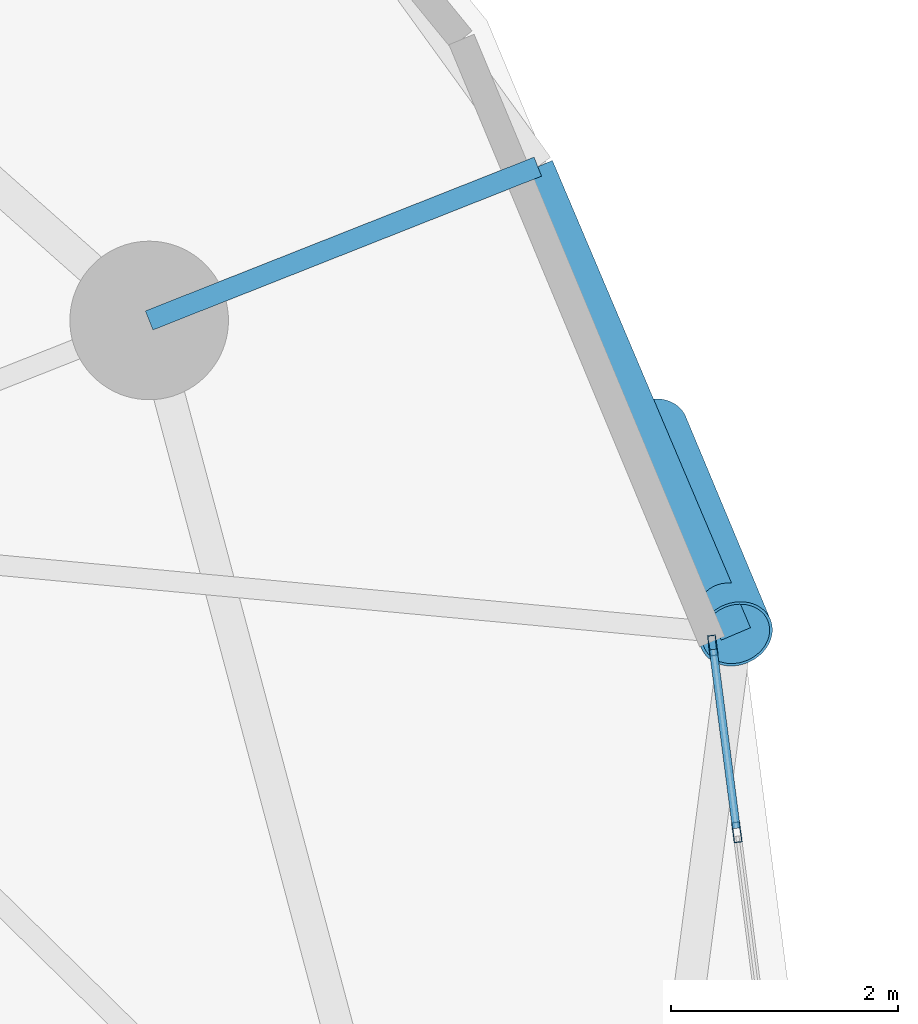
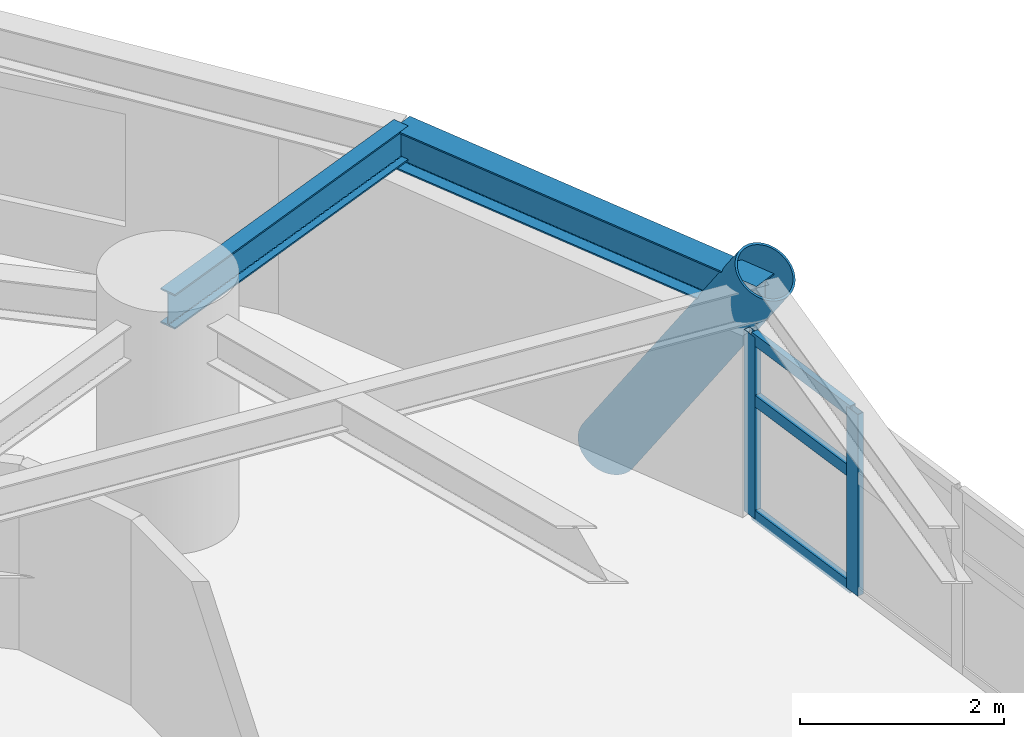
# One storey, part 4 of 16: 6 members, 2 beams, 1 element without a shape of its own.
"""IFC4 building model written with IfcOpenShell, lengths in metres."""

from ifc_helpers import new_model, si_unit, direction, frame, origin, origin_2d, place, context, subcontext, project, spatial, hollow_rectangle, hollow_circle, i_section, extrude, material, layer, layer_set, material_profile, profile_set, type_object, element, aggregate, save


model = new_model("IFC4")

# Units and contexts
model_context = context("Model", 3, precision=1e-05, world=origin(), true_north=direction((0.0, 1.0)))
body_context = subcontext(model_context, "Body", "Model", "MODEL_VIEW")
ifc_project = project(units=[si_unit("LENGTHUNIT", "METRE"), si_unit("AREAUNIT", "SQUARE_METRE"), si_unit("VOLUMEUNIT", "CUBIC_METRE"), si_unit("PLANEANGLEUNIT", "RADIAN"), si_unit("MASSUNIT", "GRAM", prefix="KILO")], contexts=[model_context])

# Site, building, storey
site_placement = place(None, origin())
site = spatial("IfcSite", under=ifc_project, at=site_placement, CompositionType="ELEMENT")
building_placement = place(site_placement, origin())
building = spatial("IfcBuilding", under=site, at=building_placement, Name="Cununo Teusaquillo Station Towers", CompositionType="ELEMENT")
storey_placement = place(building_placement, frame((0.0, 0.0, 73.06005859375)))
storey = spatial("IfcBuildingStorey", under=building, at=storey_placement, Name="L22", CompositionType="ELEMENT", Elevation=73.06005859375)

# Beams
ifc_material_1 = material(Name="Steel ASTM A572 Grade 50", Category="steel")
ifc_material_profile_1 = material_profile(ifc_material_1, i_section(OverallWidth=0.180908203125, OverallDepth=0.4169921875, WebThickness=0.010986328125, FlangeThickness=0.018310546875, FilletRadius=0.012939453125, at=origin_2d()), Name="W16X57")
ifc_profile_set_1 = profile_set([ifc_material_profile_1], Name="Steel ASTM A572 Grade 50")
beam_type_1 = type_object("IfcBeamType", Name="BM-RAD-G2", PredefinedType="BEAM", material=ifc_profile_set_1)
beam_1_placement = place(storey_placement, frame((26.347412109375, 33.228515625, 2.46142578125), z_axis=(0.929861788731, 0.367909029323, 0.0), x_axis=(-0.367909029323, 0.929861788731, 0.0)))
element("IfcBeam", 1, at=beam_1_placement, inside=storey, type_object=beam_type_1, Name="L22 Tower A Perimeter Overhang Girder 02B", PredefinedType="BEAM", context=body_context, shape_type="SweptSolid", body=[
    extrude(i_section(OverallWidth=0.180908203125, OverallDepth=0.4169921875, WebThickness=0.010986328125, FlangeThickness=0.018310546875, FilletRadius=0.012939453125, at=origin_2d()), origin(), (0.0, 0.0, 1.0), 3.690185546875),
])
ifc_material_2 = material(Name="Steel ASTM A572 Grade 50", Category="steel")
ifc_material_profile_2 = material_profile(ifc_material_2, i_section(OverallWidth=0.280029296875, OverallDepth=0.462890625, WebThickness=0.0107421875, FlangeThickness=0.017333984375, FilletRadius=0.013916015625, at=origin_2d()), Name="W18X76")
ifc_profile_set_2 = profile_set([ifc_material_profile_2], Name="Steel ASTM A572 Grade 50")
beam_type_2 = type_object("IfcBeamType", Name="BM-RING-Z2", PredefinedType="SPANDREL", material=ifc_profile_set_2)
beam_2_placement = place(storey_placement, frame((31.527587890625, 30.4609375, 2.4384765625), z_axis=(-0.390299356049, 0.920688010494, 0.0), x_axis=(-0.920688010494, -0.390299356049, 0.0)))
element("IfcBeam", 2, at=beam_2_placement, inside=storey, type_object=beam_type_2, Name="L22 Tower A Spandrel Ring Beam 02", PredefinedType="SPANDREL", context=body_context, shape_type="SweptSolid", body=[
    extrude(i_section(OverallWidth=0.280029296875, OverallDepth=0.462890625, WebThickness=0.0107421875, FlangeThickness=0.017333984375, FilletRadius=0.013916015625, at=origin_2d()), origin(), (0.0, 0.0, 1.0), 4.480712890625),
])

# Curtain wall, members
ifc_material_3 = material(Name="Ceramic-fritted dark low-E double glazing", Category="glass")
ifc_layer = layer(ifc_material_3, 0.179931640625)
ifc_layer_set = layer_set([ifc_layer], Name="Ceramic-fritted dark low-E double glazing")
curtain_wall_type = type_object("IfcCurtainWallType", Name="CW-SYS-04", PredefinedType="USERDEFINED", material=ifc_layer_set)
curtain_wall_placement = place(storey_placement, origin())
curtain_wall = element("IfcCurtainWall", 3, at=curtain_wall_placement, inside=storey, type_object=curtain_wall_type, Name="L22 Tower A Facade Curtain Wall C00", ObjectType="FRITTED GLAZING", PredefinedType="USERDEFINED")
ifc_material_4 = material(Name="Anodised dark bronze aluminium EN AW-6063-T6", Category="aluminium")
ifc_material_profile_3 = material_profile(ifc_material_4, hollow_rectangle(XDim=0.070068359375, YDim=0.179931640625, WallThickness=0.00390625, at=origin_2d()), Name="CW-MULL-70x180")
ifc_profile_set_3 = profile_set([ifc_material_profile_3], Name="Anodised dark bronze aluminium EN AW-6063-T6")
member_type_1 = type_object("IfcMemberType", Name="CWM-180", PredefinedType="MULLION", material=ifc_profile_set_3)
member_1_placement = place(storey_placement, frame((31.322998046875, 30.3583984375, 0.0), z_axis=(0.0, 0.0, 1.0), x_axis=(0.991730764367, 0.128335852387, 0.0)))
member_1 = element("IfcMember", 4, at=member_1_placement, type_object=member_type_1, Name="CW-04 mullion 1", PredefinedType="MULLION", context=body_context, shape_type="SweptSolid", body=[
    extrude(hollow_rectangle(XDim=0.070068359375, YDim=0.179931640625, WallThickness=0.00390625, at=origin_2d()), origin(), (0.0, 0.0, 1.0), 2.178955078125),
])
member_2_placement = place(storey_placement, frame((31.5361328125, 28.709716796875, 0.0), z_axis=(0.0, 0.0, 1.0), x_axis=(0.991730764367, 0.128335852387, 0.0)))
member_2 = element("IfcMember", 5, at=member_2_placement, type_object=member_type_1, Name="CW-04 mullion 2", PredefinedType="MULLION", context=body_context, shape_type="SweptSolid", body=[
    extrude(hollow_rectangle(XDim=0.070068359375, YDim=0.179931640625, WallThickness=0.00390625, at=origin_2d()), origin(), (0.0, 0.0, 1.0), 2.178955078125),
])
ifc_material_5 = material(Name="Anodised dark bronze aluminium EN AW-6063-T6", Category="aluminium")
ifc_material_profile_4 = material_profile(ifc_material_5, hollow_rectangle(XDim=0.070068359375, YDim=0.139892578125, WallThickness=0.00390625, at=origin_2d()), Name="CW-TRAN-70x140")
ifc_profile_set_4 = profile_set([ifc_material_profile_4], Name="Anodised dark bronze aluminium EN AW-6063-T6")
member_type_2 = type_object("IfcMemberType", Name="CWT-140", PredefinedType="USERDEFINED", material=ifc_profile_set_4)
member_3_placement = place(storey_placement, frame((31.327392578125, 30.323486328125, 0.034912109375), z_axis=(0.128336210724, -0.991730717996, 0.0), x_axis=(0.991730717996, 0.128336210724, 0.0)))
member_3 = element("IfcMember", 6, at=member_3_placement, type_object=member_type_2, Name="CW-04 transom 1.1", ObjectType="TRANSOM", PredefinedType="USERDEFINED", context=body_context, shape_type="SweptSolid", body=[
    extrude(hollow_rectangle(XDim=0.070068359375, YDim=0.139892578125, WallThickness=0.00390625, at=origin_2d()), origin(), (0.0, 0.0, 1.0), 1.59228515625),
])
member_4_placement = place(storey_placement, frame((31.327392578125, 30.323486328125, 1.416015625), z_axis=(0.128336210724, -0.991730717996, 0.0), x_axis=(0.991730717996, 0.128336210724, 0.0)))
member_4 = element("IfcMember", 7, at=member_4_placement, type_object=member_type_2, Name="CW-04 transom 1.2", ObjectType="TRANSOM", PredefinedType="USERDEFINED", context=body_context, shape_type="SweptSolid", body=[
    extrude(hollow_rectangle(XDim=0.070068359375, YDim=0.139892578125, WallThickness=0.00390625, at=origin_2d()), origin(), (0.0, 0.0, 1.0), 1.59228515625),
])
member_5_placement = place(storey_placement, frame((31.327392578125, 30.323486328125, 2.14404296875), z_axis=(0.128336210724, -0.991730717996, 0.0), x_axis=(0.991730717996, 0.128336210724, 0.0)))
member_5 = element("IfcMember", 8, at=member_5_placement, type_object=member_type_2, Name="CW-04 transom 1.3", ObjectType="TRANSOM", PredefinedType="USERDEFINED", context=body_context, shape_type="SweptSolid", body=[
    extrude(hollow_rectangle(XDim=0.070068359375, YDim=0.139892578125, WallThickness=0.00390625, at=origin_2d()), origin(), (0.0, 0.0, 1.0), 1.59228515625),
])
aggregate(curtain_wall, [member_1, member_2, member_3, member_4, member_5])

# Member
ifc_material_6 = material(Name="Steel EN 10025-2 S355J2", Category="steel")
ifc_material_profile_5 = material_profile(ifc_material_6, hollow_circle(Radius=0.330078125, WallThickness=0.02490234375, at=origin_2d()), Name="CHS 660x25")
ifc_profile_set_5 = profile_set([ifc_material_profile_5], Name="Steel EN 10025-2 S355J2")
member_type_3 = type_object("IfcMemberType", Name="MBR-DIAG-Z2", PredefinedType="BRACE", material=ifc_profile_set_5)
member_6_placement = place(storey_placement, frame((30.779541015625, 32.25341796875, -0.14013671875), z_axis=(0.213801258435, -0.512313589893, 0.831759464931), x_axis=(0.922861086318, 0.385132983993, 0.0)))
element("IfcMember", 9, at=member_6_placement, inside=storey, type_object=member_type_3, Name="L22 Tower A Folded-Zigzag Diagrid Tube C01", PredefinedType="BRACE", context=body_context, shape_type="SweptSolid", body=[
    extrude(hollow_circle(Radius=0.330078125, WallThickness=0.02490234375, at=origin_2d()), origin(), (0.0, 0.0, 1.0), 3.498779296875),
])

save(model, "model.ifc")
